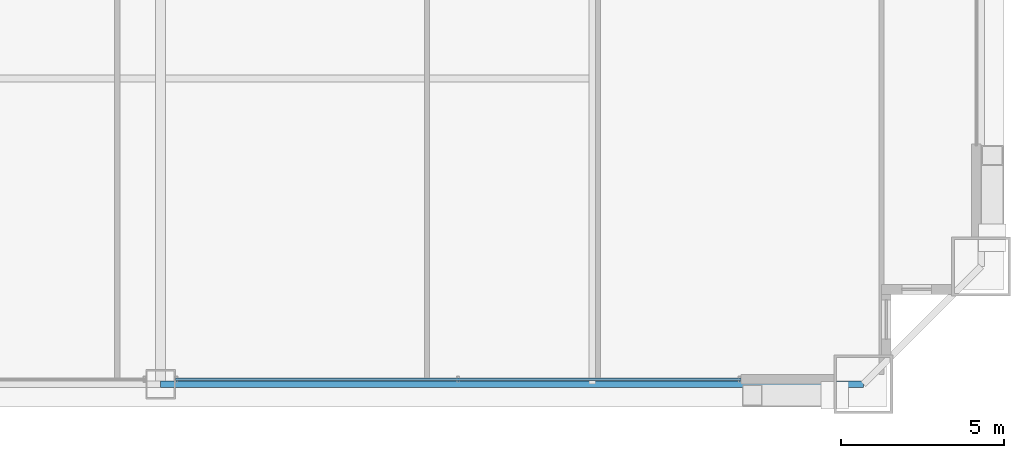
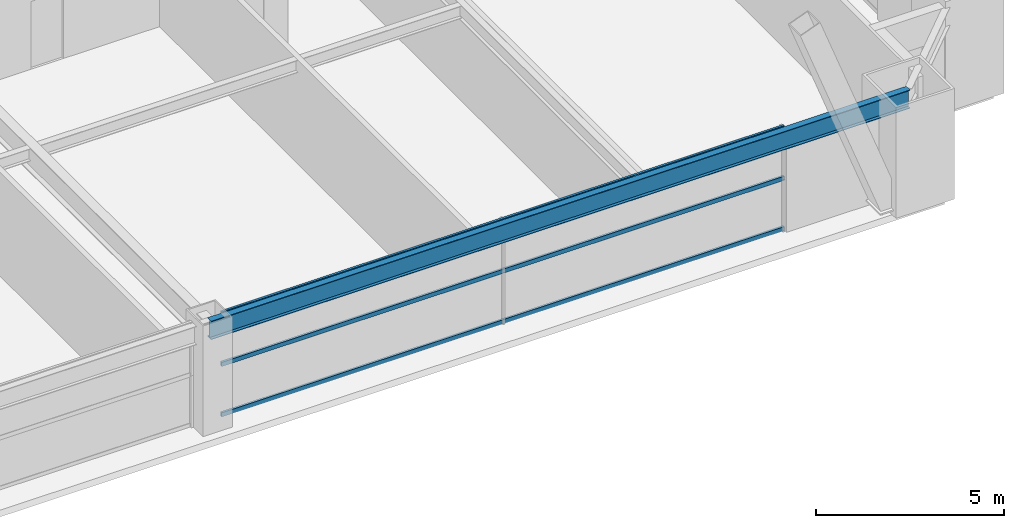
# One storey, part 14 of 43: 3 members, 1 beam, 1 element without a shape of its own.
"""IFC4 building model written with IfcOpenShell, lengths in metres."""

from ifc_helpers import new_model, si_unit, direction, frame, origin, origin_2d, place, context, subcontext, project, spatial, hollow_rectangle, i_section, extrude, source, transform, mapped, material, layer, layer_set, material_profile, profile_set, type_object, element, aggregate, save


model = new_model("IFC4")

# Units and contexts
model_context = context("Model", 3, precision=1e-05, world=origin(), true_north=direction((0.0, 1.0)))
body_context = subcontext(model_context, "Body", "Model", "MODEL_VIEW")
ifc_project = project(units=[si_unit("LENGTHUNIT", "METRE"), si_unit("AREAUNIT", "SQUARE_METRE"), si_unit("VOLUMEUNIT", "CUBIC_METRE"), si_unit("PLANEANGLEUNIT", "RADIAN"), si_unit("MASSUNIT", "GRAM", prefix="KILO"), si_unit("THERMODYNAMICTEMPERATUREUNIT", "KELVIN"), si_unit("POWERUNIT", "WATT")], contexts=[model_context])

# Site, building, storey
site_placement = place(None, origin())
site = spatial("IfcSite", under=ifc_project, at=site_placement, CompositionType="ELEMENT")
building_placement = place(site_placement, origin())
building = spatial("IfcBuilding", under=site, at=building_placement, Name="Yuzanri Waterfront Tower", CompositionType="ELEMENT")
storey_placement = place(building_placement, frame((0.0, 0.0, 60.39990234375)))
storey = spatial("IfcBuildingStorey", under=building, at=storey_placement, Name="L15", CompositionType="ELEMENT", Elevation=60.39990234375)

# Beam
ifc_material_1 = material(Name="Steel Q355B", Category="steel")
ifc_material_profile_1 = material_profile(ifc_material_1, i_section(OverallWidth=0.199951171875, OverallDepth=0.60009765625, WebThickness=0.010986328125, FlangeThickness=0.01708984375, at=origin_2d()), Name="HN 600x200x11x17")
ifc_profile_set_1 = profile_set([ifc_material_profile_1], Name="Steel Q355B")
beam_type = type_object("IfcBeamType", Name="Perimeter Spandrel Q355B HN 600x200", PredefinedType="SPANDREL", material=ifc_profile_set_1)
shared_shape_1 = source(origin(), body_context, "Body", "SweptSolid", [
    extrude(i_section(OverallWidth=0.199951171875, OverallDepth=0.60009765625, WebThickness=0.010986328125, FlangeThickness=0.01708984375, at=origin_2d()), origin(), (0.0, 0.0, 1.0), 21.5),
])
beam_placement = place(storey_placement, frame((37.0, 0.699951171875, 3.080078125), z_axis=(1.0, 0.0, 0.0), x_axis=(0.0, 1.0, 0.0)))
element("IfcBeam", 1, at=beam_placement, inside=storey, type_object=beam_type, Name="L15 Perimeter Spandrel S2-S3", PredefinedType="SPANDREL", context=body_context, shape_type="MappedRepresentation", body=[
    mapped(shared_shape_1, transform((0.0, 0.0, 0.0), scale=1.0)),
])

# Curtain wall, members
ifc_material_2 = material(Name="Anodized Architectural Bronze", Category="metal")
ifc_layer = layer(ifc_material_2, 0.159912109375)
ifc_layer_set = layer_set([ifc_layer], Name="Anodized Architectural Bronze")
curtain_wall_type = type_object("IfcCurtainWallType", Name="Anodized Bronze Hotel Lower-Tier Recessed Unitized Curtain Wall 8100", PredefinedType="NOTDEFINED", material=ifc_layer_set)
curtain_wall_placement = place(storey_placement, origin())
curtain_wall = element("IfcCurtainWall", 2, at=curtain_wall_placement, inside=storey, type_object=curtain_wall_type, Name="L15 Curtain Wall CW-L15-SR", PredefinedType="NOTDEFINED")
ifc_material_3 = material(Name="Anodized Architectural Bronze", Category="metal")
ifc_material_profile_2 = material_profile(ifc_material_3, hollow_rectangle(XDim=0.070068359375, YDim=0.135009765625, WallThickness=0.00341796875, at=origin_2d()), Name="CWT 70x135")
ifc_profile_set_2 = profile_set([ifc_material_profile_2], Name="Anodized Architectural Bronze")
member_type = type_object("IfcMemberType", Name="Anodized Bronze Standard Curtain-Wall Transom 70x135", PredefinedType="USERDEFINED", material=ifc_profile_set_2)
shared_shape_2 = source(origin(), body_context, "Body", "SweptSolid", [
    extrude(hollow_rectangle(XDim=0.070068359375, YDim=0.135009765625, WallThickness=0.00341796875, at=origin_2d()), origin(), (0.0, 0.0, 1.0), 17.300048828125),
])
member_1_placement = place(storey_placement, frame((37.449951171875, 0.85009765625, 0.050048828125), z_axis=(1.0, 0.0, 0.0), x_axis=(0.0, 1.0, 0.0)))
member_1 = element("IfcMember", 3, at=member_1_placement, type_object=member_type, Name="CW-L15-SR Transom 1", ObjectType="TRANSOM", PredefinedType="USERDEFINED", context=body_context, shape_type="MappedRepresentation", body=[
    mapped(shared_shape_2, transform((0.0, 0.0, 0.0), scale=1.0)),
])
member_2_placement = place(storey_placement, frame((37.449951171875, 0.85009765625, 1.690185546875), z_axis=(1.0, 0.0, 0.0), x_axis=(0.0, 1.0, 0.0)))
member_2 = element("IfcMember", 4, at=member_2_placement, type_object=member_type, Name="CW-L15-SR Transom 2", ObjectType="TRANSOM", PredefinedType="USERDEFINED", context=body_context, shape_type="MappedRepresentation", body=[
    mapped(shared_shape_2, transform((0.0, 0.0, 0.0), scale=1.0)),
])
member_3_placement = place(storey_placement, frame((37.449951171875, 0.85009765625, 3.330078125), z_axis=(1.0, 0.0, 0.0), x_axis=(0.0, 1.0, 0.0)))
member_3 = element("IfcMember", 5, at=member_3_placement, type_object=member_type, Name="CW-L15-SR Transom 3", ObjectType="TRANSOM", PredefinedType="USERDEFINED", context=body_context, shape_type="MappedRepresentation", body=[
    mapped(shared_shape_2, transform((0.0, 0.0, 0.0), scale=1.0)),
])
aggregate(curtain_wall, [member_1, member_2, member_3])

save(model, "model.ifc")
